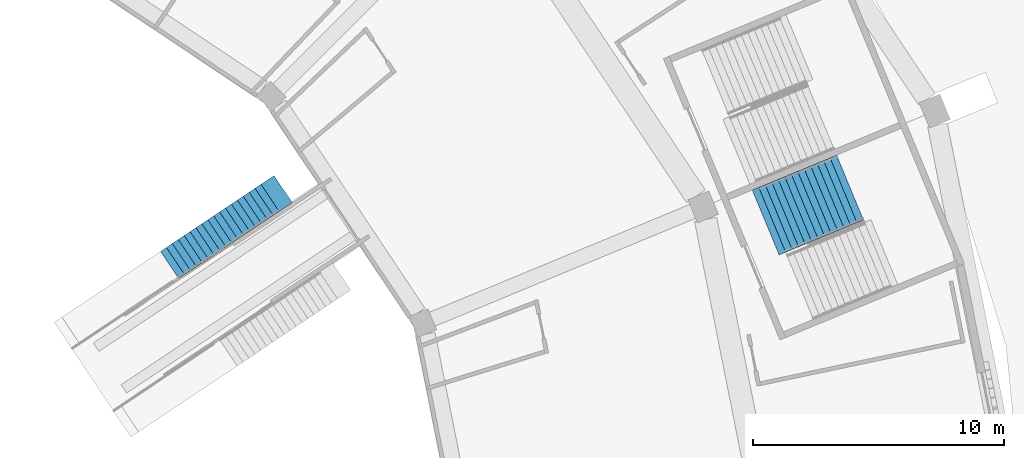
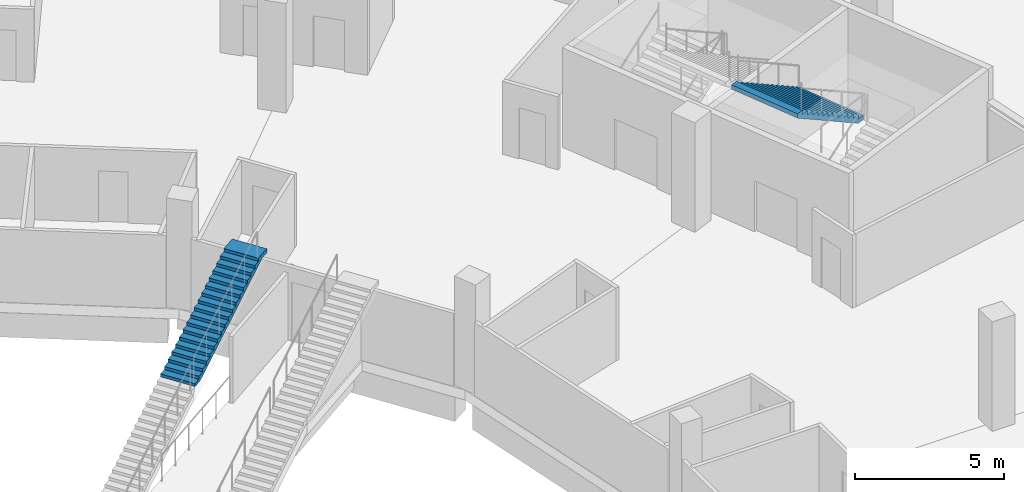
# One storey, part 146 of 175: 2 stair flights, 2 elements without a shape of their own.
"""IFC4 building model written with IfcOpenShell, lengths in metres."""

import ifcopenshell
import ifcopenshell.guid

model = None  # the IFC model being written
_history = None  # IfcOwnerHistory: only IFC2X3 demands one
_inside = {}  # id of a spatial element -> (the spatial element, [elements in it])
_under = {}  # id of a project, library or spatial element -> (it, [spatial elements below it])
_declared = {}  # id of a project -> (the project, [libraries it declares])
_typed = {}  # id of a type object -> (the type object, [elements of that type])
_made_of = {}  # id of a material, layer set ... -> (it, [elements and type objects made of it])


def new_model(schema):
    """Start an empty IFC model of exactly this schema.

    Asked for "IFC4X3", IfcOpenShell would pick the latest addendum, in which some entities
    have other attributes; the version numbers below select the first issue.
    IFC2X3 requires an IfcOwnerHistory on every rooted entity: one is made here for all.
    """
    global model, _history
    if schema == "IFC4X3":
        model = ifcopenshell.file(schema_version=(4, 3, 0, 0))
    else:
        model = ifcopenshell.file(schema=schema)
    _inside.clear()
    _under.clear()
    _declared.clear()
    _typed.clear()
    _made_of.clear()
    _history = None
    if model.schema == "IFC2X3":
        org = make("IfcOrganization", Name="unknown")
        user = make(
            "IfcPersonAndOrganization",
            ThePerson=make("IfcPerson", FamilyName="unknown"),
            TheOrganization=org,
        )
        app = make(
            "IfcApplication",
            ApplicationDeveloper=org,
            Version="unknown",
            ApplicationFullName="unknown",
            ApplicationIdentifier="unknown",
        )
        _history = make(
            "IfcOwnerHistory",
            OwningUser=user,
            OwningApplication=app,
            ChangeAction="ADDED",
            CreationDate=0,
        )
    return model


def make(cls, **values):
    """One entity of the class cls with the attributes given. An attribute that is None is left unset."""
    return model.create_entity(
        cls, **{name: value for name, value in values.items() if value is not None}
    )


def rooted(cls, **values):
    """An entity with a GlobalId (a new one), such as an element, a storey or a relation."""
    return make(cls, GlobalId=ifcopenshell.guid.new(), OwnerHistory=_history, **values)


def si_unit(unit_type, name, prefix=None):
    """IfcSIUnit, for example si_unit("LENGTHUNIT", "METRE", prefix="MILLI")."""
    return make("IfcSIUnit", UnitType=unit_type, Prefix=prefix, Name=name)


def assignment(units):
    """IfcUnitAssignment: the units of a project."""
    return None if units is None else make("IfcUnitAssignment", Units=units)


def point(xyz):
    """IfcCartesianPoint."""
    return None if xyz is None else make("IfcCartesianPoint", Coordinates=xyz)


def direction(xyz):
    """IfcDirection."""
    return None if xyz is None else make("IfcDirection", DirectionRatios=xyz)


def frame(location, z_axis=None, x_axis=None):
    """IfcAxis2Placement3D, a coordinate frame: its origin and axes. An axis left out is left unset."""
    return make(
        "IfcAxis2Placement3D",
        Location=point(location),
        Axis=direction(z_axis),
        RefDirection=direction(x_axis),
    )


def origin():
    """The frame at (0, 0, 0) with its axes left unset."""
    return frame((0.0, 0.0, 0.0))


def place(relative_to, where):
    """IfcLocalPlacement: puts the frame where relative to a parent placement (None: the world)."""
    return make(
        "IfcLocalPlacement", PlacementRelTo=relative_to, RelativePlacement=where
    )


def context(
    kind, dimensions, precision=None, world=None, true_north=None, identifier=None
):
    """IfcGeometricRepresentationContext, for example the 3D "Model" context."""
    return make(
        "IfcGeometricRepresentationContext",
        ContextIdentifier=identifier,
        ContextType=kind,
        CoordinateSpaceDimension=dimensions,
        Precision=precision,
        WorldCoordinateSystem=world,
        TrueNorth=true_north,
    )


def subcontext(parent, identifier, kind, view, scale=None):
    """IfcGeometricRepresentationSubContext, for example "Body" below "Model"."""
    return make(
        "IfcGeometricRepresentationSubContext",
        ContextIdentifier=identifier,
        ContextType=kind,
        ParentContext=parent,
        TargetScale=scale,
        TargetView=view,
    )


def project(units=None, contexts=None):
    """IfcProject with its units and contexts."""
    return rooted(
        "IfcProject",
        Name="project",
        RepresentationContexts=contexts,
        UnitsInContext=assignment(units),
    )


def spatial(cls, under=None, at=None, **own):
    """A site, building, storey or space (cls), placed at a placement, below another one or the project."""
    s = rooted(cls, ObjectPlacement=at, **own)
    if under is not None:
        _under.setdefault(under.id(), (under, []))[1].append(s)
    return s


def faces_of(points, faces, orient=None, outer=None):
    """IfcFace entities. A face is a list of loops; a loop is a list of indices into points, from 0.

    orient and outer hold one flag for each loop. By default every Orientation is true, the
    first loop of a face is its IfcFaceOuterBound and the others are IfcFaceBound.
    """
    made = []
    for i, loops in enumerate(faces):
        bounds = []
        for j, loop in enumerate(loops):
            is_outer = j == 0 if outer is None else outer[i][j]
            bounds.append(
                make(
                    "IfcFaceOuterBound" if is_outer else "IfcFaceBound",
                    Bound=make("IfcPolyLoop", Polygon=[points[k] for k in loop]),
                    Orientation=True if orient is None else orient[i][j],
                )
            )
        made.append(make("IfcFace", Bounds=bounds))
    return made


def faceted_brep(points, faces, orient=None, outer=None, voids=None):
    """IfcFacetedBrep: a solid bounded by flat faces; with voids (closed shells), ...WithVoids."""
    shared = [point(p) for p in points]
    hull = make("IfcClosedShell", CfsFaces=faces_of(shared, faces, orient, outer))
    if voids is None:
        return make("IfcFacetedBrep", Outer=hull)
    return make(
        "IfcFacetedBrepWithVoids",
        Outer=hull,
        Voids=[
            make(cls, CfsFaces=faces_of(shared, fs, o, b)) for cls, fs, o, b in voids
        ],
    )


def shape(context_of_items, identifier, shape_type, items):
    """IfcShapeRepresentation: the items that make up one representation, for example the "Body"."""
    return make(
        "IfcShapeRepresentation",
        ContextOfItems=context_of_items,
        RepresentationIdentifier=identifier,
        RepresentationType=shape_type,
        Items=items,
    )


def material(Name=None, Category=None):
    """IfcMaterial."""
    return make("IfcMaterial", Name=Name, Category=Category)


def made_of(thing, what):
    """Note that an element or type object is made of a material, layer set ...; save() writes the relation."""
    if what is not None:
        _made_of.setdefault(what.id(), (what, []))[1].append(thing)
    return thing


def type_object(cls, material=None, **own):
    """A type object (cls), such as IfcWallType, which elements share."""
    return made_of(rooted(cls, **own), material)


def element(
    cls,
    number,
    at=None,
    inside=None,
    cuts=None,
    type_object=None,
    material=None,
    context=None,
    identifier="Body",
    shape_type=None,
    held_by="IfcProductDefinitionShape",
    body=None,
    shapes=None,
    **own,
):
    """One element of the class cls, such as IfcWall. Its Tag is "e" and its number.

    at: its placement. inside: the storey or other place that contains it. cuts: it is an
    opening in that element (IfcRelVoidsElement). A single representation is given by context,
    identifier, shape_type and body (its items); several are given by shapes. held_by: the class
    of the entity that holds the representations. save() writes the other relations.
    """
    e = rooted(cls, Tag="e%d" % number, ObjectPlacement=at, **own)
    if body is not None:
        shapes = [shape(context, identifier, shape_type, body)]
    if shapes is not None:
        e.Representation = make(held_by, Representations=shapes)
    if inside is not None:
        _inside.setdefault(inside.id(), (inside, []))[1].append(e)
    if cuts is not None:
        rooted(
            "IfcRelVoidsElement", RelatingBuildingElement=cuts, RelatedOpeningElement=e
        )
    if type_object is not None:
        _typed.setdefault(type_object.id(), (type_object, []))[1].append(e)
    return made_of(e, material)


def aggregate(whole, parts):
    """IfcRelAggregates: a whole, such as a stair, and the parts it consists of."""
    return rooted("IfcRelAggregates", RelatingObject=whole, RelatedObjects=parts)


def save(model, path):
    """Write the relations noted so far, then the file.

    IfcRelAggregates (storeys below a building ...), IfcRelContainedInSpatialStructure (elements
    in a storey), IfcRelDefinesByType, IfcRelAssociatesMaterial and IfcRelDeclares: one each for
    every whole, place, type object, material and project.
    """
    for whole, parts in _under.values():
        aggregate(whole, parts)
    for where, things in _inside.values():
        rooted(
            "IfcRelContainedInSpatialStructure",
            RelatedElements=things,
            RelatingStructure=where,
        )
    for kind, things in _typed.values():
        rooted("IfcRelDefinesByType", RelatedObjects=things, RelatingType=kind)
    for what, things in _made_of.values():
        rooted("IfcRelAssociatesMaterial", RelatedObjects=things, RelatingMaterial=what)
    for by, libraries in _declared.values():
        rooted("IfcRelDeclares", RelatingContext=by, RelatedDefinitions=libraries)
    model.write(path)


model = new_model("IFC4")

# Units and contexts
model_context = context("Model", 3, precision=1e-05, world=origin(), true_north=direction((0.0, 1.0)))
body_context = subcontext(model_context, "Body", "Model", "MODEL_VIEW")
ifc_project = project(units=[si_unit("LENGTHUNIT", "METRE"), si_unit("AREAUNIT", "SQUARE_METRE"), si_unit("VOLUMEUNIT", "CUBIC_METRE"), si_unit("PLANEANGLEUNIT", "RADIAN"), si_unit("MASSUNIT", "GRAM", prefix="KILO")], contexts=[model_context])

# Site, building, storey
site_placement = place(None, origin())
site = spatial("IfcSite", under=ifc_project, at=site_placement, CompositionType="ELEMENT")
building_placement = place(site_placement, origin())
building = spatial("IfcBuilding", under=site, at=building_placement, Name="Ogive Plaza Stadium", CompositionType="ELEMENT")
storey_placement = place(building_placement, origin())
storey = spatial("IfcBuildingStorey", under=building, at=storey_placement, Name="L00", CompositionType="ELEMENT", Elevation=0.0)

# Stair, stair flight
ifc_material_1 = material(Name="Concrete C40/50", Category="concrete")
stair_type_1 = type_object("IfcStairType", Name="Aisle stair", PredefinedType="STRAIGHT_RUN_STAIR", material=ifc_material_1)
stair_1_placement = place(storey_placement, origin())
stair_1 = element("IfcStair", 1, at=stair_1_placement, inside=storey, type_object=stair_type_1, Name="Aisle stair SA39R", PredefinedType="STRAIGHT_RUN_STAIR")
ifc_material_2 = material(Name="Concrete C40/50", Category="concrete")
stair_flight_type_1 = type_object("IfcStairFlightType", Name="Aisle stair flight", PredefinedType="STRAIGHT", material=ifc_material_2)
stair_flight_1_placement = place(storey_placement, frame((49.670654296875, 65.496337890625, 2.25), z_axis=(0.0, 0.0, 1.0), x_axis=(0.831469612303, 0.55557023302, 0.0)))
stair_flight_1 = element("IfcStairFlight", 2, at=stair_flight_1_placement, type_object=stair_flight_type_1, Name="SA39R flight 2", NumberOfRisers=18, NumberOfTreads=17, PredefinedType="STRAIGHT", RiserHeight=0.125, TreadLength=0.283333333, context=body_context, shape_type="Brep", body=[
    faceted_brep([(0.371337890625, -0.64990234375, 0.0), (5.10009765625, -0.64990234375, 2.086181640625), (5.446533203125, -0.64990234375, 2.086181640625), (5.446533203125, -0.64990234375, 2.25), (4.816650390625, -0.64990234375, 2.25), (4.816650390625, -0.64990234375, 2.125), (4.533447265625, -0.64990234375, 2.125), (4.533447265625, -0.64990234375, 2.0), (4.25, -0.64990234375, 2.0), (4.25, -0.64990234375, 1.875), (3.966552734375, -0.64990234375, 1.875), (3.966552734375, -0.64990234375, 1.75), (3.683349609375, -0.64990234375, 1.75), (3.683349609375, -0.64990234375, 1.625), (3.39990234375, -0.64990234375, 1.625), (3.39990234375, -0.64990234375, 1.5), (3.11669921875, -0.64990234375, 1.5), (3.11669921875, -0.64990234375, 1.375), (2.833251953125, -0.64990234375, 1.375), (2.833251953125, -0.64990234375, 1.25), (2.550048828125, -0.64990234375, 1.25), (2.550048828125, -0.64990234375, 1.125), (2.2666015625, -0.64990234375, 1.125), (2.2666015625, -0.64990234375, 1.0), (1.9833984375, -0.64990234375, 1.0), (1.9833984375, -0.64990234375, 0.875), (1.699951171875, -0.64990234375, 0.875), (1.699951171875, -0.64990234375, 0.75), (1.416748046875, -0.64990234375, 0.75), (1.416748046875, -0.64990234375, 0.625), (1.13330078125, -0.64990234375, 0.625), (1.13330078125, -0.64990234375, 0.5), (0.85009765625, -0.64990234375, 0.5), (0.85009765625, -0.64990234375, 0.375), (0.566650390625, -0.64990234375, 0.375), (0.566650390625, -0.64990234375, 0.25), (0.283447265625, -0.64990234375, 0.25), (0.283447265625, -0.64990234375, 0.125), (0.0, -0.64990234375, 0.125), (0.0, -0.64990234375, 0.0), (0.0, 0.64990234375, 0.0), (0.0, 0.64990234375, 0.125), (0.283447265625, 0.64990234375, 0.125), (0.283447265625, 0.64990234375, 0.25), (0.566650390625, 0.64990234375, 0.25), (0.566650390625, 0.64990234375, 0.375), (0.85009765625, 0.64990234375, 0.375), (0.85009765625, 0.64990234375, 0.5), (1.13330078125, 0.64990234375, 0.5), (1.13330078125, 0.64990234375, 0.625), (1.416748046875, 0.64990234375, 0.625), (1.416748046875, 0.64990234375, 0.75), (1.699951171875, 0.64990234375, 0.75), (1.699951171875, 0.64990234375, 0.875), (1.9833984375, 0.64990234375, 0.875), (1.9833984375, 0.64990234375, 1.0), (2.2666015625, 0.64990234375, 1.0), (2.2666015625, 0.64990234375, 1.125), (2.550048828125, 0.64990234375, 1.125), (2.550048828125, 0.64990234375, 1.25), (2.833251953125, 0.64990234375, 1.25), (2.833251953125, 0.64990234375, 1.375), (3.11669921875, 0.64990234375, 1.375), (3.11669921875, 0.64990234375, 1.5), (3.39990234375, 0.64990234375, 1.5), (3.39990234375, 0.64990234375, 1.625), (3.683349609375, 0.64990234375, 1.625), (3.683349609375, 0.64990234375, 1.75), (3.966552734375, 0.64990234375, 1.75), (3.966552734375, 0.64990234375, 1.875), (4.25, 0.64990234375, 1.875), (4.25, 0.64990234375, 2.0), (4.533447265625, 0.64990234375, 2.0), (4.533447265625, 0.64990234375, 2.125), (4.816650390625, 0.64990234375, 2.125), (4.816650390625, 0.64990234375, 2.25), (5.446533203125, 0.64990234375, 2.25), (5.446533203125, 0.64990234375, 2.086181640625), (5.10009765625, 0.64990234375, 2.086181640625), (0.371337890625, 0.64990234375, 0.0), (0.371337890625, -0.324951171875, 0.0), (5.10009765625, -0.324951171875, 2.086181640625), (0.371337890625, 0.0, 0.0), (5.10009765625, 0.0, 2.086181640625), (0.371337890625, 0.324951171875, 0.0), (5.10009765625, 0.324951171875, 2.086181640625), (5.446533203125, -0.324951171875, 2.086181640625), (5.446533203125, 0.0, 2.086181640625), (5.446533203125, 0.324951171875, 2.086181640625), (5.446533203125, -0.324951171875, 2.25), (5.446533203125, 0.0, 2.25), (5.446533203125, 0.324951171875, 2.25), (4.816650390625, -0.324951171875, 2.25), (4.816650390625, 0.0, 2.25), (4.816650390625, 0.324951171875, 2.25), (4.816650390625, -0.324951171875, 2.125), (4.816650390625, 0.0, 2.125), (4.816650390625, 0.324951171875, 2.125), (4.533447265625, -0.324951171875, 2.125), (4.533447265625, 0.0, 2.125), (4.533447265625, 0.324951171875, 2.125), (4.533447265625, -0.324951171875, 2.0), (4.533447265625, 0.0, 2.0), (4.533447265625, 0.324951171875, 2.0), (4.25, -0.324951171875, 2.0), (4.25, 0.0, 2.0), (4.25, 0.324951171875, 2.0), (4.25, -0.324951171875, 1.875), (4.25, 0.0, 1.875), (4.25, 0.324951171875, 1.875), (3.966552734375, -0.324951171875, 1.875), (3.966552734375, 0.0, 1.875), (3.966552734375, 0.324951171875, 1.875), (3.966552734375, -0.324951171875, 1.75), (3.966552734375, 0.0, 1.75), (3.966552734375, 0.324951171875, 1.75), (3.683349609375, -0.324951171875, 1.75), (3.683349609375, 0.0, 1.75), (3.683349609375, 0.324951171875, 1.75), (3.683349609375, -0.324951171875, 1.625), (3.683349609375, 0.0, 1.625), (3.683349609375, 0.324951171875, 1.625), (3.39990234375, -0.324951171875, 1.625), (3.39990234375, 0.0, 1.625), (3.39990234375, 0.324951171875, 1.625), (3.39990234375, -0.324951171875, 1.5), (3.39990234375, 0.0, 1.5), (3.39990234375, 0.324951171875, 1.5), (3.11669921875, -0.324951171875, 1.5), (3.11669921875, 0.0, 1.5), (3.11669921875, 0.324951171875, 1.5), (3.11669921875, -0.324951171875, 1.375), (3.11669921875, 0.0, 1.375), (3.11669921875, 0.324951171875, 1.375), (2.833251953125, -0.324951171875, 1.375), (2.833251953125, 0.0, 1.375), (2.833251953125, 0.324951171875, 1.375), (2.833251953125, -0.324951171875, 1.25), (2.833251953125, 0.0, 1.25), (2.833251953125, 0.324951171875, 1.25), (2.550048828125, -0.324951171875, 1.25), (2.550048828125, 0.0, 1.25), (2.550048828125, 0.324951171875, 1.25), (2.550048828125, -0.324951171875, 1.125), (2.550048828125, 0.0, 1.125), (2.550048828125, 0.324951171875, 1.125), (2.2666015625, -0.324951171875, 1.125), (2.2666015625, 0.0, 1.125), (2.2666015625, 0.324951171875, 1.125), (2.2666015625, -0.324951171875, 1.0), (2.2666015625, 0.0, 1.0), (2.2666015625, 0.324951171875, 1.0), (1.9833984375, -0.324951171875, 1.0), (1.9833984375, 0.0, 1.0), (1.9833984375, 0.324951171875, 1.0), (1.9833984375, -0.324951171875, 0.875), (1.9833984375, 0.0, 0.875), (1.9833984375, 0.324951171875, 0.875), (1.699951171875, -0.324951171875, 0.875), (1.699951171875, 0.0, 0.875), (1.699951171875, 0.324951171875, 0.875), (1.699951171875, -0.324951171875, 0.75), (1.699951171875, 0.0, 0.75), (1.699951171875, 0.324951171875, 0.75), (1.416748046875, -0.324951171875, 0.75), (1.416748046875, 0.0, 0.75), (1.416748046875, 0.324951171875, 0.75), (1.416748046875, -0.324951171875, 0.625), (1.416748046875, 0.0, 0.625), (1.416748046875, 0.324951171875, 0.625), (1.13330078125, -0.324951171875, 0.625), (1.13330078125, 0.0, 0.625), (1.13330078125, 0.324951171875, 0.625), (1.13330078125, -0.324951171875, 0.5), (1.13330078125, 0.0, 0.5), (1.13330078125, 0.324951171875, 0.5), (0.85009765625, -0.324951171875, 0.5), (0.85009765625, 0.0, 0.5), (0.85009765625, 0.324951171875, 0.5), (0.85009765625, -0.324951171875, 0.375), (0.85009765625, 0.0, 0.375), (0.85009765625, 0.324951171875, 0.375), (0.566650390625, -0.324951171875, 0.375), (0.566650390625, 0.0, 0.375), (0.566650390625, 0.324951171875, 0.375), (0.566650390625, -0.324951171875, 0.25), (0.566650390625, 0.0, 0.25), (0.566650390625, 0.324951171875, 0.25), (0.283447265625, -0.324951171875, 0.25), (0.283447265625, 0.0, 0.25), (0.283447265625, 0.324951171875, 0.25), (0.283447265625, -0.324951171875, 0.125), (0.283447265625, 0.0, 0.125), (0.283447265625, 0.324951171875, 0.125), (0.0, -0.324951171875, 0.125), (0.0, 0.0, 0.125), (0.0, 0.324951171875, 0.125), (0.0, -0.324951171875, 0.0), (0.0, 0.0, 0.0), (0.0, 0.324951171875, 0.0)], [[[0, 1, 2, 3, 4, 5, 6, 7, 8, 9, 10, 11, 12, 13, 14, 15, 16, 17, 18, 19, 20, 21, 22, 23, 24, 25, 26, 27, 28, 29, 30, 31, 32, 33, 34, 35, 36, 37, 38, 39]], [[40, 41, 42, 43, 44, 45, 46, 47, 48, 49, 50, 51, 52, 53, 54, 55, 56, 57, 58, 59, 60, 61, 62, 63, 64, 65, 66, 67, 68, 69, 70, 71, 72, 73, 74, 75, 76, 77, 78, 79]], [[0, 80, 81, 1]], [[80, 82, 83, 81]], [[82, 84, 85, 83]], [[84, 79, 78, 85]], [[1, 81, 86, 2]], [[81, 83, 87, 86]], [[83, 85, 88, 87]], [[85, 78, 77, 88]], [[2, 86, 89, 3]], [[86, 87, 90, 89]], [[87, 88, 91, 90]], [[88, 77, 76, 91]], [[3, 89, 92, 4]], [[89, 90, 93, 92]], [[90, 91, 94, 93]], [[91, 76, 75, 94]], [[4, 92, 95, 5]], [[92, 93, 96, 95]], [[93, 94, 97, 96]], [[94, 75, 74, 97]], [[5, 95, 98, 6]], [[95, 96, 99, 98]], [[96, 97, 100, 99]], [[97, 74, 73, 100]], [[6, 98, 101, 7]], [[98, 99, 102, 101]], [[99, 100, 103, 102]], [[100, 73, 72, 103]], [[7, 101, 104, 8]], [[101, 102, 105, 104]], [[102, 103, 106, 105]], [[103, 72, 71, 106]], [[8, 104, 107, 9]], [[104, 105, 108, 107]], [[105, 106, 109, 108]], [[106, 71, 70, 109]], [[9, 107, 110, 10]], [[107, 108, 111, 110]], [[108, 109, 112, 111]], [[109, 70, 69, 112]], [[10, 110, 113, 11]], [[110, 111, 114, 113]], [[111, 112, 115, 114]], [[112, 69, 68, 115]], [[11, 113, 116, 12]], [[113, 114, 117, 116]], [[114, 115, 118, 117]], [[115, 68, 67, 118]], [[12, 116, 119, 13]], [[116, 117, 120, 119]], [[117, 118, 121, 120]], [[118, 67, 66, 121]], [[13, 119, 122, 14]], [[119, 120, 123, 122]], [[120, 121, 124, 123]], [[121, 66, 65, 124]], [[14, 122, 125, 15]], [[122, 123, 126, 125]], [[123, 124, 127, 126]], [[124, 65, 64, 127]], [[15, 125, 128, 16]], [[125, 126, 129, 128]], [[126, 127, 130, 129]], [[127, 64, 63, 130]], [[16, 128, 131, 17]], [[128, 129, 132, 131]], [[129, 130, 133, 132]], [[130, 63, 62, 133]], [[17, 131, 134, 18]], [[131, 132, 135, 134]], [[132, 133, 136, 135]], [[133, 62, 61, 136]], [[18, 134, 137, 19]], [[134, 135, 138, 137]], [[135, 136, 139, 138]], [[136, 61, 60, 139]], [[19, 137, 140, 20]], [[137, 138, 141, 140]], [[138, 139, 142, 141]], [[139, 60, 59, 142]], [[20, 140, 143, 21]], [[140, 141, 144, 143]], [[141, 142, 145, 144]], [[142, 59, 58, 145]], [[21, 143, 146, 22]], [[143, 144, 147, 146]], [[144, 145, 148, 147]], [[145, 58, 57, 148]], [[22, 146, 149, 23]], [[146, 147, 150, 149]], [[147, 148, 151, 150]], [[148, 57, 56, 151]], [[23, 149, 152, 24]], [[149, 150, 153, 152]], [[150, 151, 154, 153]], [[151, 56, 55, 154]], [[24, 152, 155, 25]], [[152, 153, 156, 155]], [[153, 154, 157, 156]], [[154, 55, 54, 157]], [[25, 155, 158, 26]], [[155, 156, 159, 158]], [[156, 157, 160, 159]], [[157, 54, 53, 160]], [[26, 158, 161, 27]], [[158, 159, 162, 161]], [[159, 160, 163, 162]], [[160, 53, 52, 163]], [[27, 161, 164, 28]], [[161, 162, 165, 164]], [[162, 163, 166, 165]], [[163, 52, 51, 166]], [[28, 164, 167, 29]], [[164, 165, 168, 167]], [[165, 166, 169, 168]], [[166, 51, 50, 169]], [[29, 167, 170, 30]], [[167, 168, 171, 170]], [[168, 169, 172, 171]], [[169, 50, 49, 172]], [[30, 170, 173, 31]], [[170, 171, 174, 173]], [[171, 172, 175, 174]], [[172, 49, 48, 175]], [[31, 173, 176, 32]], [[173, 174, 177, 176]], [[174, 175, 178, 177]], [[175, 48, 47, 178]], [[32, 176, 179, 33]], [[176, 177, 180, 179]], [[177, 178, 181, 180]], [[178, 47, 46, 181]], [[33, 179, 182, 34]], [[179, 180, 183, 182]], [[180, 181, 184, 183]], [[181, 46, 45, 184]], [[34, 182, 185, 35]], [[182, 183, 186, 185]], [[183, 184, 187, 186]], [[184, 45, 44, 187]], [[35, 185, 188, 36]], [[185, 186, 189, 188]], [[186, 187, 190, 189]], [[187, 44, 43, 190]], [[36, 188, 191, 37]], [[188, 189, 192, 191]], [[189, 190, 193, 192]], [[190, 43, 42, 193]], [[37, 191, 194, 38]], [[191, 192, 195, 194]], [[192, 193, 196, 195]], [[193, 42, 41, 196]], [[38, 194, 197, 39]], [[194, 195, 198, 197]], [[195, 196, 199, 198]], [[196, 41, 40, 199]], [[39, 197, 80, 0]], [[197, 198, 82, 80]], [[198, 199, 84, 82]], [[199, 40, 79, 84]]]),
])
aggregate(stair_1, [stair_flight_1])

ifc_material_3 = material(Name="Concrete C40/50", Category="concrete")
stair_type_2 = type_object("IfcStairType", Name="Exit stair", PredefinedType="STRAIGHT_RUN_STAIR", material=ifc_material_3)
stair_2_placement = place(storey_placement, origin())
stair_2 = element("IfcStair", 3, at=stair_2_placement, inside=storey, type_object=stair_type_2, Name="Exit stair ST40A L00 to L01", PredefinedType="STRAIGHT_RUN_STAIR")
ifc_material_4 = material(Name="Concrete C40/50", Category="concrete")
stair_flight_type_2 = type_object("IfcStairFlightType", Name="Exit stair flight", PredefinedType="STRAIGHT", material=ifc_material_4)
stair_flight_2_placement = place(storey_placement, frame((76.814208984375, 68.58349609375, 2.25), z_axis=(0.0, 0.0, 1.0), x_axis=(-0.923879532511, -0.382683432365, 0.0)))
stair_flight_2 = element("IfcStairFlight", 4, at=stair_flight_2_placement, type_object=stair_flight_type_2, Name="ST40A flight 2", NumberOfRisers=13, NumberOfTreads=12, PredefinedType="STRAIGHT", RiserHeight=0.173076923, TreadLength=0.28, context=body_context, shape_type="Brep", body=[
    faceted_brep([(0.28515625, -1.39990234375, 0.0), (3.639892578125, -1.39990234375, 2.07373046875), (3.639892578125, -1.39990234375, 2.25), (3.360107421875, -1.39990234375, 2.25), (3.360107421875, -1.39990234375, 2.076904296875), (3.080078125, -1.39990234375, 2.076904296875), (3.080078125, -1.39990234375, 1.90380859375), (2.800048828125, -1.39990234375, 1.90380859375), (2.800048828125, -1.39990234375, 1.730712890625), (2.52001953125, -1.39990234375, 1.730712890625), (2.52001953125, -1.39990234375, 1.5576171875), (2.239990234375, -1.39990234375, 1.5576171875), (2.239990234375, -1.39990234375, 1.384521484375), (1.9599609375, -1.39990234375, 1.384521484375), (1.9599609375, -1.39990234375, 1.21142578125), (1.679931640625, -1.39990234375, 1.21142578125), (1.679931640625, -1.39990234375, 1.03857421875), (1.39990234375, -1.39990234375, 1.03857421875), (1.39990234375, -1.39990234375, 0.865478515625), (1.1201171875, -1.39990234375, 0.865478515625), (1.1201171875, -1.39990234375, 0.6923828125), (0.840087890625, -1.39990234375, 0.6923828125), (0.840087890625, -1.39990234375, 0.519287109375), (0.56005859375, -1.39990234375, 0.519287109375), (0.56005859375, -1.39990234375, 0.34619140625), (0.280029296875, -1.39990234375, 0.34619140625), (0.280029296875, -1.39990234375, 0.173095703125), (0.0, -1.39990234375, 0.173095703125), (0.0, -1.39990234375, 0.0), (0.0, 1.39990234375, 0.0), (0.0, 1.39990234375, 0.173095703125), (0.280029296875, 1.39990234375, 0.173095703125), (0.280029296875, 1.39990234375, 0.34619140625), (0.56005859375, 1.39990234375, 0.34619140625), (0.56005859375, 1.39990234375, 0.519287109375), (0.840087890625, 1.39990234375, 0.519287109375), (0.840087890625, 1.39990234375, 0.6923828125), (1.1201171875, 1.39990234375, 0.6923828125), (1.1201171875, 1.39990234375, 0.865478515625), (1.39990234375, 1.39990234375, 0.865478515625), (1.39990234375, 1.39990234375, 1.03857421875), (1.679931640625, 1.39990234375, 1.03857421875), (1.679931640625, 1.39990234375, 1.21142578125), (1.9599609375, 1.39990234375, 1.21142578125), (1.9599609375, 1.39990234375, 1.384521484375), (2.239990234375, 1.39990234375, 1.384521484375), (2.239990234375, 1.39990234375, 1.5576171875), (2.52001953125, 1.39990234375, 1.5576171875), (2.52001953125, 1.39990234375, 1.730712890625), (2.800048828125, 1.39990234375, 1.730712890625), (2.800048828125, 1.39990234375, 1.90380859375), (3.080078125, 1.39990234375, 1.90380859375), (3.080078125, 1.39990234375, 2.076904296875), (3.360107421875, 1.39990234375, 2.076904296875), (3.360107421875, 1.39990234375, 2.25), (3.639892578125, 1.39990234375, 2.25), (3.639892578125, 1.39990234375, 2.07373046875), (0.28515625, 1.39990234375, 0.0), (0.28515625, -1.0888671875, 0.0), (3.639892578125, -1.0888671875, 2.07373046875), (0.28515625, -0.77783203125, 0.0), (3.639892578125, -0.77783203125, 2.07373046875), (0.28515625, -0.466796875, 0.0), (3.639892578125, -0.466796875, 2.07373046875), (0.28515625, -0.155517578125, 0.0), (3.639892578125, -0.155517578125, 2.07373046875), (0.28515625, 0.155517578125, 0.0), (3.639892578125, 0.155517578125, 2.07373046875), (0.28515625, 0.466796875, 0.0), (3.639892578125, 0.466796875, 2.07373046875), (0.28515625, 0.77783203125, 0.0), (3.639892578125, 0.77783203125, 2.07373046875), (0.28515625, 1.0888671875, 0.0), (3.639892578125, 1.0888671875, 2.07373046875), (3.639892578125, -1.0888671875, 2.25), (3.639892578125, -0.77783203125, 2.25), (3.639892578125, -0.466796875, 2.25), (3.639892578125, -0.155517578125, 2.25), (3.639892578125, 0.155517578125, 2.25), (3.639892578125, 0.466796875, 2.25), (3.639892578125, 0.77783203125, 2.25), (3.639892578125, 1.0888671875, 2.25), (3.360107421875, -1.0888671875, 2.25), (3.360107421875, -0.77783203125, 2.25), (3.360107421875, -0.466796875, 2.25), (3.360107421875, -0.155517578125, 2.25), (3.360107421875, 0.155517578125, 2.25), (3.360107421875, 0.466796875, 2.25), (3.360107421875, 0.77783203125, 2.25), (3.360107421875, 1.0888671875, 2.25), (3.360107421875, -1.0888671875, 2.076904296875), (3.360107421875, -0.77783203125, 2.076904296875), (3.360107421875, -0.466796875, 2.076904296875), (3.360107421875, -0.155517578125, 2.076904296875), (3.360107421875, 0.155517578125, 2.076904296875), (3.360107421875, 0.466796875, 2.076904296875), (3.360107421875, 0.77783203125, 2.076904296875), (3.360107421875, 1.0888671875, 2.076904296875), (3.080078125, -1.0888671875, 2.076904296875), (3.080078125, -0.77783203125, 2.076904296875), (3.080078125, -0.466796875, 2.076904296875), (3.080078125, -0.155517578125, 2.076904296875), (3.080078125, 0.155517578125, 2.076904296875), (3.080078125, 0.466796875, 2.076904296875), (3.080078125, 0.77783203125, 2.076904296875), (3.080078125, 1.0888671875, 2.076904296875), (3.080078125, -1.0888671875, 1.90380859375), (3.080078125, -0.77783203125, 1.90380859375), (3.080078125, -0.466796875, 1.90380859375), (3.080078125, -0.155517578125, 1.90380859375), (3.080078125, 0.155517578125, 1.90380859375), (3.080078125, 0.466796875, 1.90380859375), (3.080078125, 0.77783203125, 1.90380859375), (3.080078125, 1.0888671875, 1.90380859375), (2.800048828125, -1.0888671875, 1.90380859375), (2.800048828125, -0.77783203125, 1.90380859375), (2.800048828125, -0.466796875, 1.90380859375), (2.800048828125, -0.155517578125, 1.90380859375), (2.800048828125, 0.155517578125, 1.90380859375), (2.800048828125, 0.466796875, 1.90380859375), (2.800048828125, 0.77783203125, 1.90380859375), (2.800048828125, 1.0888671875, 1.90380859375), (2.800048828125, -1.0888671875, 1.730712890625), (2.800048828125, -0.77783203125, 1.730712890625), (2.800048828125, -0.466796875, 1.730712890625), (2.800048828125, -0.155517578125, 1.730712890625), (2.800048828125, 0.155517578125, 1.730712890625), (2.800048828125, 0.466796875, 1.730712890625), (2.800048828125, 0.77783203125, 1.730712890625), (2.800048828125, 1.0888671875, 1.730712890625), (2.52001953125, -1.0888671875, 1.730712890625), (2.52001953125, -0.77783203125, 1.730712890625), (2.52001953125, -0.466796875, 1.730712890625), (2.52001953125, -0.155517578125, 1.730712890625), (2.52001953125, 0.155517578125, 1.730712890625), (2.52001953125, 0.466796875, 1.730712890625), (2.52001953125, 0.77783203125, 1.730712890625), (2.52001953125, 1.0888671875, 1.730712890625), (2.52001953125, -1.0888671875, 1.5576171875), (2.52001953125, -0.77783203125, 1.5576171875), (2.52001953125, -0.466796875, 1.5576171875), (2.52001953125, -0.155517578125, 1.5576171875), (2.52001953125, 0.155517578125, 1.5576171875), (2.52001953125, 0.466796875, 1.5576171875), (2.52001953125, 0.77783203125, 1.5576171875), (2.52001953125, 1.0888671875, 1.5576171875), (2.239990234375, -1.0888671875, 1.5576171875), (2.239990234375, -0.77783203125, 1.5576171875), (2.239990234375, -0.466796875, 1.5576171875), (2.239990234375, -0.155517578125, 1.5576171875), (2.239990234375, 0.155517578125, 1.5576171875), (2.239990234375, 0.466796875, 1.5576171875), (2.239990234375, 0.77783203125, 1.5576171875), (2.239990234375, 1.0888671875, 1.5576171875), (2.239990234375, -1.0888671875, 1.384521484375), (2.239990234375, -0.77783203125, 1.384521484375), (2.239990234375, -0.466796875, 1.384521484375), (2.239990234375, -0.155517578125, 1.384521484375), (2.239990234375, 0.155517578125, 1.384521484375), (2.239990234375, 0.466796875, 1.384521484375), (2.239990234375, 0.77783203125, 1.384521484375), (2.239990234375, 1.0888671875, 1.384521484375), (1.9599609375, -1.0888671875, 1.384521484375), (1.9599609375, -0.77783203125, 1.384521484375), (1.9599609375, -0.466796875, 1.384521484375), (1.9599609375, -0.155517578125, 1.384521484375), (1.9599609375, 0.155517578125, 1.384521484375), (1.9599609375, 0.466796875, 1.384521484375), (1.9599609375, 0.77783203125, 1.384521484375), (1.9599609375, 1.0888671875, 1.384521484375), (1.9599609375, -1.0888671875, 1.21142578125), (1.9599609375, -0.77783203125, 1.21142578125), (1.9599609375, -0.466796875, 1.21142578125), (1.9599609375, -0.155517578125, 1.21142578125), (1.9599609375, 0.155517578125, 1.21142578125), (1.9599609375, 0.466796875, 1.21142578125), (1.9599609375, 0.77783203125, 1.21142578125), (1.9599609375, 1.0888671875, 1.21142578125), (1.679931640625, -1.0888671875, 1.21142578125), (1.679931640625, -0.77783203125, 1.21142578125), (1.679931640625, -0.466796875, 1.21142578125), (1.679931640625, -0.155517578125, 1.21142578125), (1.679931640625, 0.155517578125, 1.21142578125), (1.679931640625, 0.466796875, 1.21142578125), (1.679931640625, 0.77783203125, 1.21142578125), (1.679931640625, 1.0888671875, 1.21142578125), (1.679931640625, -1.0888671875, 1.03857421875), (1.679931640625, -0.77783203125, 1.03857421875), (1.679931640625, -0.466796875, 1.03857421875), (1.679931640625, -0.155517578125, 1.03857421875), (1.679931640625, 0.155517578125, 1.03857421875), (1.679931640625, 0.466796875, 1.03857421875), (1.679931640625, 0.77783203125, 1.03857421875), (1.679931640625, 1.0888671875, 1.03857421875), (1.39990234375, -1.0888671875, 1.03857421875), (1.39990234375, -0.77783203125, 1.03857421875), (1.39990234375, -0.466796875, 1.03857421875), (1.39990234375, -0.155517578125, 1.03857421875), (1.39990234375, 0.155517578125, 1.03857421875), (1.39990234375, 0.466796875, 1.03857421875), (1.39990234375, 0.77783203125, 1.03857421875), (1.39990234375, 1.0888671875, 1.03857421875), (1.39990234375, -1.0888671875, 0.865478515625), (1.39990234375, -0.77783203125, 0.865478515625), (1.39990234375, -0.466796875, 0.865478515625), (1.39990234375, -0.155517578125, 0.865478515625), (1.39990234375, 0.155517578125, 0.865478515625), (1.39990234375, 0.466796875, 0.865478515625), (1.39990234375, 0.77783203125, 0.865478515625), (1.39990234375, 1.0888671875, 0.865478515625), (1.1201171875, -1.0888671875, 0.865478515625), (1.1201171875, -0.77783203125, 0.865478515625), (1.1201171875, -0.466796875, 0.865478515625), (1.1201171875, -0.155517578125, 0.865478515625), (1.1201171875, 0.155517578125, 0.865478515625), (1.1201171875, 0.466796875, 0.865478515625), (1.1201171875, 0.77783203125, 0.865478515625), (1.1201171875, 1.0888671875, 0.865478515625), (1.1201171875, -1.0888671875, 0.6923828125), (1.1201171875, -0.77783203125, 0.6923828125), (1.1201171875, -0.466796875, 0.6923828125), (1.1201171875, -0.155517578125, 0.6923828125), (1.1201171875, 0.155517578125, 0.6923828125), (1.1201171875, 0.466796875, 0.6923828125), (1.1201171875, 0.77783203125, 0.6923828125), (1.1201171875, 1.0888671875, 0.6923828125), (0.840087890625, -1.0888671875, 0.6923828125), (0.840087890625, -0.77783203125, 0.6923828125), (0.840087890625, -0.466796875, 0.6923828125), (0.840087890625, -0.155517578125, 0.6923828125), (0.840087890625, 0.155517578125, 0.6923828125), (0.840087890625, 0.466796875, 0.6923828125), (0.840087890625, 0.77783203125, 0.6923828125), (0.840087890625, 1.0888671875, 0.6923828125), (0.840087890625, -1.0888671875, 0.519287109375), (0.840087890625, -0.77783203125, 0.519287109375), (0.840087890625, -0.466796875, 0.519287109375), (0.840087890625, -0.155517578125, 0.519287109375), (0.840087890625, 0.155517578125, 0.519287109375), (0.840087890625, 0.466796875, 0.519287109375), (0.840087890625, 0.77783203125, 0.519287109375), (0.840087890625, 1.0888671875, 0.519287109375), (0.56005859375, -1.0888671875, 0.519287109375), (0.56005859375, -0.77783203125, 0.519287109375), (0.56005859375, -0.466796875, 0.519287109375), (0.56005859375, -0.155517578125, 0.519287109375), (0.56005859375, 0.155517578125, 0.519287109375), (0.56005859375, 0.466796875, 0.519287109375), (0.56005859375, 0.77783203125, 0.519287109375), (0.56005859375, 1.0888671875, 0.519287109375), (0.56005859375, -1.0888671875, 0.34619140625), (0.56005859375, -0.77783203125, 0.34619140625), (0.56005859375, -0.466796875, 0.34619140625), (0.56005859375, -0.155517578125, 0.34619140625), (0.56005859375, 0.155517578125, 0.34619140625), (0.56005859375, 0.466796875, 0.34619140625), (0.56005859375, 0.77783203125, 0.34619140625), (0.56005859375, 1.0888671875, 0.34619140625), (0.280029296875, -1.0888671875, 0.34619140625), (0.280029296875, -0.77783203125, 0.34619140625), (0.280029296875, -0.466796875, 0.34619140625), (0.280029296875, -0.155517578125, 0.34619140625), (0.280029296875, 0.155517578125, 0.34619140625), (0.280029296875, 0.466796875, 0.34619140625), (0.280029296875, 0.77783203125, 0.34619140625), (0.280029296875, 1.0888671875, 0.34619140625), (0.280029296875, -1.0888671875, 0.173095703125), (0.280029296875, -0.77783203125, 0.173095703125), (0.280029296875, -0.466796875, 0.173095703125), (0.280029296875, -0.155517578125, 0.173095703125), (0.280029296875, 0.155517578125, 0.173095703125), (0.280029296875, 0.466796875, 0.173095703125), (0.280029296875, 0.77783203125, 0.173095703125), (0.280029296875, 1.0888671875, 0.173095703125), (0.0, -1.0888671875, 0.173095703125), (0.0, -0.77783203125, 0.173095703125), (0.0, -0.466796875, 0.173095703125), (0.0, -0.155517578125, 0.173095703125), (0.0, 0.155517578125, 0.173095703125), (0.0, 0.466796875, 0.173095703125), (0.0, 0.77783203125, 0.173095703125), (0.0, 1.0888671875, 0.173095703125), (0.0, -1.0888671875, 0.0), (0.0, -0.77783203125, 0.0), (0.0, -0.466796875, 0.0), (0.0, -0.155517578125, 0.0), (0.0, 0.155517578125, 0.0), (0.0, 0.466796875, 0.0), (0.0, 0.77783203125, 0.0), (0.0, 1.0888671875, 0.0)], [[[0, 1, 2, 3, 4, 5, 6, 7, 8, 9, 10, 11, 12, 13, 14, 15, 16, 17, 18, 19, 20, 21, 22, 23, 24, 25, 26, 27, 28]], [[29, 30, 31, 32, 33, 34, 35, 36, 37, 38, 39, 40, 41, 42, 43, 44, 45, 46, 47, 48, 49, 50, 51, 52, 53, 54, 55, 56, 57]], [[0, 58, 59, 1]], [[58, 60, 61, 59]], [[60, 62, 63, 61]], [[62, 64, 65, 63]], [[64, 66, 67, 65]], [[66, 68, 69, 67]], [[68, 70, 71, 69]], [[70, 72, 73, 71]], [[72, 57, 56, 73]], [[1, 59, 74, 2]], [[59, 61, 75, 74]], [[61, 63, 76, 75]], [[63, 65, 77, 76]], [[65, 67, 78, 77]], [[67, 69, 79, 78]], [[69, 71, 80, 79]], [[71, 73, 81, 80]], [[73, 56, 55, 81]], [[2, 74, 82, 3]], [[74, 75, 83, 82]], [[75, 76, 84, 83]], [[76, 77, 85, 84]], [[77, 78, 86, 85]], [[78, 79, 87, 86]], [[79, 80, 88, 87]], [[80, 81, 89, 88]], [[81, 55, 54, 89]], [[3, 82, 90, 4]], [[82, 83, 91, 90]], [[83, 84, 92, 91]], [[84, 85, 93, 92]], [[85, 86, 94, 93]], [[86, 87, 95, 94]], [[87, 88, 96, 95]], [[88, 89, 97, 96]], [[89, 54, 53, 97]], [[4, 90, 98, 5]], [[90, 91, 99, 98]], [[91, 92, 100, 99]], [[92, 93, 101, 100]], [[93, 94, 102, 101]], [[94, 95, 103, 102]], [[95, 96, 104, 103]], [[96, 97, 105, 104]], [[97, 53, 52, 105]], [[5, 98, 106, 6]], [[98, 99, 107, 106]], [[99, 100, 108, 107]], [[100, 101, 109, 108]], [[101, 102, 110, 109]], [[102, 103, 111, 110]], [[103, 104, 112, 111]], [[104, 105, 113, 112]], [[105, 52, 51, 113]], [[6, 106, 114, 7]], [[106, 107, 115, 114]], [[107, 108, 116, 115]], [[108, 109, 117, 116]], [[109, 110, 118, 117]], [[110, 111, 119, 118]], [[111, 112, 120, 119]], [[112, 113, 121, 120]], [[113, 51, 50, 121]], [[7, 114, 122, 8]], [[114, 115, 123, 122]], [[115, 116, 124, 123]], [[116, 117, 125, 124]], [[117, 118, 126, 125]], [[118, 119, 127, 126]], [[119, 120, 128, 127]], [[120, 121, 129, 128]], [[121, 50, 49, 129]], [[8, 122, 130, 9]], [[122, 123, 131, 130]], [[123, 124, 132, 131]], [[124, 125, 133, 132]], [[125, 126, 134, 133]], [[126, 127, 135, 134]], [[127, 128, 136, 135]], [[128, 129, 137, 136]], [[129, 49, 48, 137]], [[9, 130, 138, 10]], [[130, 131, 139, 138]], [[131, 132, 140, 139]], [[132, 133, 141, 140]], [[133, 134, 142, 141]], [[134, 135, 143, 142]], [[135, 136, 144, 143]], [[136, 137, 145, 144]], [[137, 48, 47, 145]], [[10, 138, 146, 11]], [[138, 139, 147, 146]], [[139, 140, 148, 147]], [[140, 141, 149, 148]], [[141, 142, 150, 149]], [[142, 143, 151, 150]], [[143, 144, 152, 151]], [[144, 145, 153, 152]], [[145, 47, 46, 153]], [[11, 146, 154, 12]], [[146, 147, 155, 154]], [[147, 148, 156, 155]], [[148, 149, 157, 156]], [[149, 150, 158, 157]], [[150, 151, 159, 158]], [[151, 152, 160, 159]], [[152, 153, 161, 160]], [[153, 46, 45, 161]], [[12, 154, 162, 13]], [[154, 155, 163, 162]], [[155, 156, 164, 163]], [[156, 157, 165, 164]], [[157, 158, 166, 165]], [[158, 159, 167, 166]], [[159, 160, 168, 167]], [[160, 161, 169, 168]], [[161, 45, 44, 169]], [[13, 162, 170, 14]], [[162, 163, 171, 170]], [[163, 164, 172, 171]], [[164, 165, 173, 172]], [[165, 166, 174, 173]], [[166, 167, 175, 174]], [[167, 168, 176, 175]], [[168, 169, 177, 176]], [[169, 44, 43, 177]], [[14, 170, 178, 15]], [[170, 171, 179, 178]], [[171, 172, 180, 179]], [[172, 173, 181, 180]], [[173, 174, 182, 181]], [[174, 175, 183, 182]], [[175, 176, 184, 183]], [[176, 177, 185, 184]], [[177, 43, 42, 185]], [[15, 178, 186, 16]], [[178, 179, 187, 186]], [[179, 180, 188, 187]], [[180, 181, 189, 188]], [[181, 182, 190, 189]], [[182, 183, 191, 190]], [[183, 184, 192, 191]], [[184, 185, 193, 192]], [[185, 42, 41, 193]], [[16, 186, 194, 17]], [[186, 187, 195, 194]], [[187, 188, 196, 195]], [[188, 189, 197, 196]], [[189, 190, 198, 197]], [[190, 191, 199, 198]], [[191, 192, 200, 199]], [[192, 193, 201, 200]], [[193, 41, 40, 201]], [[17, 194, 202, 18]], [[194, 195, 203, 202]], [[195, 196, 204, 203]], [[196, 197, 205, 204]], [[197, 198, 206, 205]], [[198, 199, 207, 206]], [[199, 200, 208, 207]], [[200, 201, 209, 208]], [[201, 40, 39, 209]], [[18, 202, 210, 19]], [[202, 203, 211, 210]], [[203, 204, 212, 211]], [[204, 205, 213, 212]], [[205, 206, 214, 213]], [[206, 207, 215, 214]], [[207, 208, 216, 215]], [[208, 209, 217, 216]], [[209, 39, 38, 217]], [[19, 210, 218, 20]], [[210, 211, 219, 218]], [[211, 212, 220, 219]], [[212, 213, 221, 220]], [[213, 214, 222, 221]], [[214, 215, 223, 222]], [[215, 216, 224, 223]], [[216, 217, 225, 224]], [[217, 38, 37, 225]], [[20, 218, 226, 21]], [[218, 219, 227, 226]], [[219, 220, 228, 227]], [[220, 221, 229, 228]], [[221, 222, 230, 229]], [[222, 223, 231, 230]], [[223, 224, 232, 231]], [[224, 225, 233, 232]], [[225, 37, 36, 233]], [[21, 226, 234, 22]], [[226, 227, 235, 234]], [[227, 228, 236, 235]], [[228, 229, 237, 236]], [[229, 230, 238, 237]], [[230, 231, 239, 238]], [[231, 232, 240, 239]], [[232, 233, 241, 240]], [[233, 36, 35, 241]], [[22, 234, 242, 23]], [[234, 235, 243, 242]], [[235, 236, 244, 243]], [[236, 237, 245, 244]], [[237, 238, 246, 245]], [[238, 239, 247, 246]], [[239, 240, 248, 247]], [[240, 241, 249, 248]], [[241, 35, 34, 249]], [[23, 242, 250, 24]], [[242, 243, 251, 250]], [[243, 244, 252, 251]], [[244, 245, 253, 252]], [[245, 246, 254, 253]], [[246, 247, 255, 254]], [[247, 248, 256, 255]], [[248, 249, 257, 256]], [[249, 34, 33, 257]], [[24, 250, 258, 25]], [[250, 251, 259, 258]], [[251, 252, 260, 259]], [[252, 253, 261, 260]], [[253, 254, 262, 261]], [[254, 255, 263, 262]], [[255, 256, 264, 263]], [[256, 257, 265, 264]], [[257, 33, 32, 265]], [[25, 258, 266, 26]], [[258, 259, 267, 266]], [[259, 260, 268, 267]], [[260, 261, 269, 268]], [[261, 262, 270, 269]], [[262, 263, 271, 270]], [[263, 264, 272, 271]], [[264, 265, 273, 272]], [[265, 32, 31, 273]], [[26, 266, 274, 27]], [[266, 267, 275, 274]], [[267, 268, 276, 275]], [[268, 269, 277, 276]], [[269, 270, 278, 277]], [[270, 271, 279, 278]], [[271, 272, 280, 279]], [[272, 273, 281, 280]], [[273, 31, 30, 281]], [[27, 274, 282, 28]], [[274, 275, 283, 282]], [[275, 276, 284, 283]], [[276, 277, 285, 284]], [[277, 278, 286, 285]], [[278, 279, 287, 286]], [[279, 280, 288, 287]], [[280, 281, 289, 288]], [[281, 30, 29, 289]], [[28, 282, 58, 0]], [[282, 283, 60, 58]], [[283, 284, 62, 60]], [[284, 285, 64, 62]], [[285, 286, 66, 64]], [[286, 287, 68, 66]], [[287, 288, 70, 68]], [[288, 289, 72, 70]], [[289, 29, 57, 72]]]),
])
aggregate(stair_2, [stair_flight_2])

save(model, "model.ifc")
